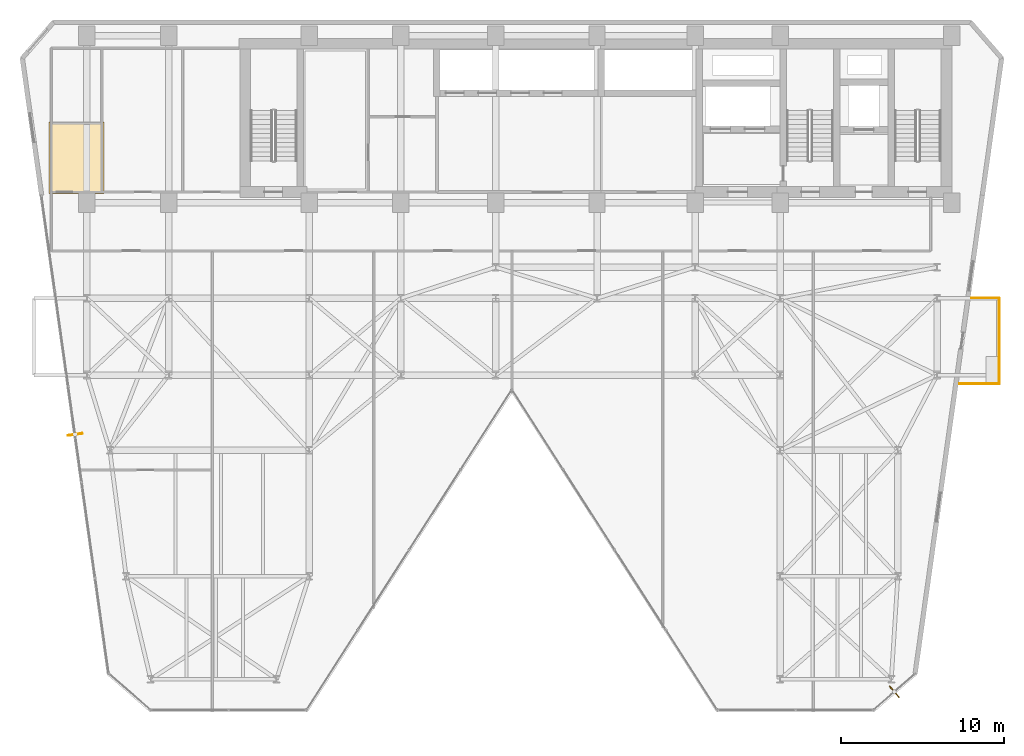
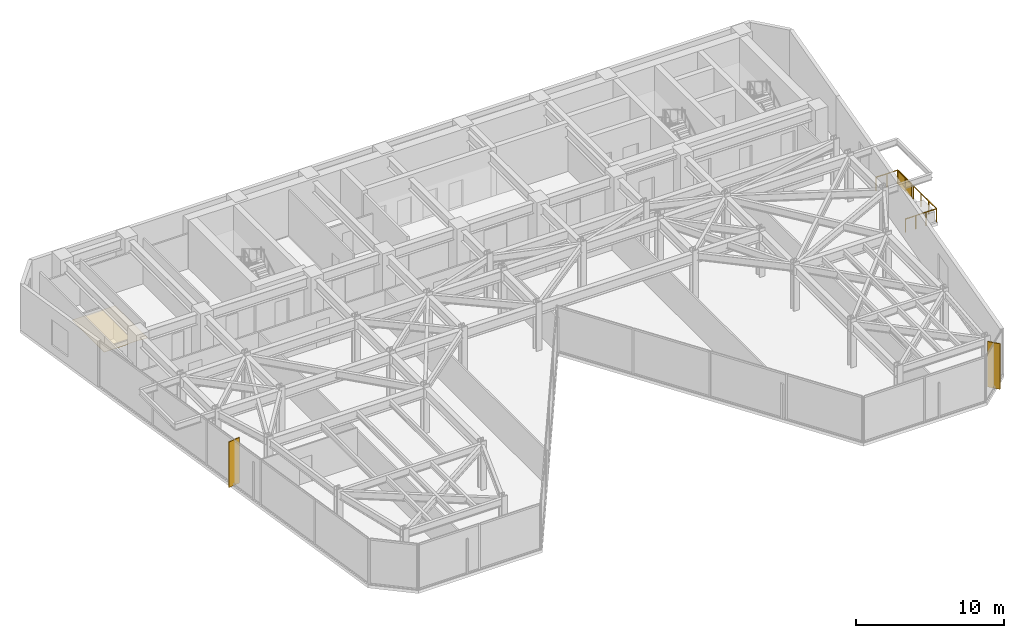
# One storey, part 24 of 26: 3 railings, 3 shading devices, 1 covering.
"""IFC4 building model written with IfcOpenShell, lengths in metres."""

from ifc_helpers import new_model, si_unit, direction, frame, origin, origin_2d, place, context, subcontext, project, spatial, polyline, rectangle, circle, outline, extrude, material, layer, layer_set, type_object, element, save


model = new_model("IFC4")

# Units and contexts
model_context = context("Model", 3, precision=1e-05, world=origin(), true_north=direction((0.0, 1.0)))
body_context = subcontext(model_context, "Body", "Model", "MODEL_VIEW")
ifc_project = project(units=[si_unit("LENGTHUNIT", "METRE"), si_unit("AREAUNIT", "SQUARE_METRE"), si_unit("VOLUMEUNIT", "CUBIC_METRE"), si_unit("PLANEANGLEUNIT", "RADIAN"), si_unit("MASSUNIT", "GRAM", prefix="KILO")], contexts=[model_context])

# Site, building, storey
site_placement = place(None, origin())
site = spatial("IfcSite", under=ifc_project, at=site_placement, CompositionType="ELEMENT")
building_placement = place(site_placement, origin())
building = spatial("IfcBuilding", under=site, at=building_placement, Name="Kravanh Interchange Tower", CompositionType="ELEMENT")
storey_placement = place(building_placement, frame((0.0, 0.0, 100.0)))
storey = spatial("IfcBuildingStorey", under=building, at=storey_placement, Name="L23", CompositionType="ELEMENT", Elevation=100.0)

# Covering
ifc_material_1 = material(Name="Acoustic Mineral Fibre Tile on Aluminium Grid", Category="aluminium")
ifc_layer_1 = layer(ifc_material_1, 0.02490234375)
ifc_layer_set_1 = layer_set([ifc_layer_1], Name="Perforated Acoustic Mineral Ceiling 25mm")
covering_type = type_object("IfcCoveringType", Name="Perforated Acoustic Mineral Ceiling 25mm", PredefinedType="CEILING", material=ifc_layer_set_1)
covering_placement = place(storey_placement, frame((0.0, 0.0, 2.550048828125)))
element("IfcCovering", 1, at=covering_placement, inside=storey, type_object=covering_type, Name="L23 Accessible WC Suspended Ceiling", PredefinedType="CEILING", context=body_context, shape_type="SweptSolid", body=[
    extrude(outline(polyline([(14.659912109375, 42.280029296875), (14.659912109375, 37.909912109375), (14.10009765625, 37.909912109375), (14.10009765625, 37.949951171875), (13.10009765625, 37.949951171875), (13.10009765625, 37.909912109375), (11.280029296875, 37.909912109375), (11.280029296875, 42.280029296875), (14.659912109375, 42.280029296875)])), origin(), (0.0, 0.0, 1.0), 0.02490234375),
])

# Shading device
ifc_material_2 = material(Name="Perforated Anodised Bronze Aluminium", Category="aluminium")
ifc_layer_2 = layer(ifc_material_2, 0.0400390625)
ifc_layer_set_2 = layer_set([ifc_layer_2], Name="Perforated Bronze Balcony Privacy Screen 1150mm")
shading_device_type_1 = type_object("IfcShadingDeviceType", Name="Perforated Bronze Balcony Privacy Screen 1150mm", PredefinedType="USERDEFINED", material=ifc_layer_set_2)
shading_device_placement = place(storey_placement, frame((69.39306640625, 30.5400390625, 0.0), z_axis=(0.0, 0.0, 1.0), x_axis=(1.0, 0.0, 0.0)))
element("IfcShadingDevice", 2, at=shading_device_placement, inside=storey, type_object=shading_device_type_1, Name="L23 E Perforated Bronze BALCONY SCREEN", ObjectType="SCREEN", PredefinedType="USERDEFINED", context=body_context, shape_type="SweptSolid", body=[
    extrude(rectangle(XDim=0.0400390625, YDim=1.800048828125, at=origin_2d()), origin(), (0.0, 0.0, 1.0), 1.14990234375),
])

# Railings
ifc_material_3 = material(Name="Stainless Steel 316", Category="steel")
ifc_layer_3 = layer(ifc_material_3, 0.06005859375)
ifc_layer_set_3 = layer_set([ifc_layer_3], Name="Perimeter Balcony and Terrace Guardrail Stainless 316 1120mm")
railing_type = type_object("IfcRailingType", Name="Perimeter Balcony and Terrace Guardrail Stainless 316 1120mm", PredefinedType="GUARDRAIL", material=ifc_layer_set_3)
railing_1_placement = place(storey_placement, frame((69.39306640625, 31.510009765625, 0.0)))
element("IfcRailing", 3, at=railing_1_placement, inside=storey, type_object=railing_type, Name="L23 E Balcony Guardrail 1", PredefinedType="GUARDRAIL", context=body_context, shape_type="SweptSolid", body=[
    extrude(circle(Radius=0.02392578125, at=origin_2d()), frame((0.0, 0.0, 1.09619140625), z_axis=(0.0, -1.0, 0.0), x_axis=(1.0, 0.0, 0.0)), (0.0, 0.0, 1.0), 5.239990234375),
    extrude(circle(Radius=0.02099609375, at=origin_2d()), origin(), (0.0, 0.0, 1.0), 1.072021484375),
    extrude(circle(Radius=0.02099609375, at=origin_2d()), frame((0.0, -1.048095703125, 0.0)), (0.0, 0.0, 1.0), 1.072021484375),
    extrude(circle(Radius=0.02099609375, at=origin_2d()), frame((0.0, -2.095947265625, 0.0)), (0.0, 0.0, 1.0), 1.072021484375),
    extrude(circle(Radius=0.02099609375, at=origin_2d()), frame((0.0, -3.14404296875, 0.0)), (0.0, 0.0, 1.0), 1.072021484375),
    extrude(circle(Radius=0.02099609375, at=origin_2d()), frame((0.0, -4.19189453125, 0.0)), (0.0, 0.0, 1.0), 1.072021484375),
    extrude(circle(Radius=0.02099609375, at=origin_2d()), frame((0.0, -5.239990234375, 0.0)), (0.0, 0.0, 1.0), 1.072021484375),
])
railing_2_placement = place(storey_placement, frame((69.39306640625, 26.27001953125, 0.0)))
element("IfcRailing", 4, at=railing_2_placement, inside=storey, type_object=railing_type, Name="L23 E Balcony Guardrail 2", PredefinedType="GUARDRAIL", context=body_context, shape_type="SweptSolid", body=[
    extrude(circle(Radius=0.02392578125, at=origin_2d()), frame((0.0, 0.0, 1.09619140625), z_axis=(-1.0, 0.0, 0.0), x_axis=(0.0, -1.0, 0.0)), (0.0, 0.0, 1.0), 2.42138671875),
    extrude(circle(Radius=0.02099609375, at=origin_2d()), origin(), (0.0, 0.0, 1.0), 1.072021484375),
    extrude(circle(Radius=0.02099609375, at=origin_2d()), frame((-0.80712890625, 0.0, 0.0)), (0.0, 0.0, 1.0), 1.072021484375),
    extrude(circle(Radius=0.02099609375, at=origin_2d()), frame((-1.6142578125, 0.0, 0.0)), (0.0, 0.0, 1.0), 1.072021484375),
    extrude(circle(Radius=0.02099609375, at=origin_2d()), frame((-2.42138671875, 0.0, 0.0)), (0.0, 0.0, 1.0), 1.072021484375),
])
railing_3_placement = place(storey_placement, frame((67.7080078125, 31.510009765625, 0.0)))
element("IfcRailing", 5, at=railing_3_placement, inside=storey, type_object=railing_type, Name="L23 E Balcony Guardrail 3", PredefinedType="GUARDRAIL", context=body_context, shape_type="SweptSolid", body=[
    extrude(circle(Radius=0.02392578125, at=origin_2d()), frame((0.0, 0.0, 1.09619140625), z_axis=(1.0, 0.0, 0.0), x_axis=(0.0, 1.0, 0.0)), (0.0, 0.0, 1.0), 1.68505859375),
    extrude(circle(Radius=0.02099609375, at=origin_2d()), origin(), (0.0, 0.0, 1.0), 1.072021484375),
    extrude(circle(Radius=0.02099609375, at=origin_2d()), frame((0.842529296875, 0.0, 0.0)), (0.0, 0.0, 1.0), 1.072021484375),
    extrude(circle(Radius=0.02099609375, at=origin_2d()), frame((1.68505859375, 0.0, 0.0)), (0.0, 0.0, 1.0), 1.072021484375),
])

# Shading devices
ifc_material_4 = material(Name="Anodised Champagne Bronze Aluminium", Category="aluminium")
ifc_layer_4 = layer(ifc_material_4, 0.06005859375)
ifc_layer_set_4 = layer_set([ifc_layer_4], Name="Vertical Bronze Solar Fin 900mm")
shading_device_type_2 = type_object("IfcShadingDeviceType", Name="Vertical Bronze Solar Fin 900mm", PredefinedType="USERDEFINED", material=ifc_layer_set_4)
for number, where, z_axis, x_axis, name in (
    (6, (12.881103515625, 23.16943359375, 0.0), (0.0, 0.0, 1.0), (-0.990268017027, -0.139173468924, 0.0), "L23 BRONZE SOLAR FIN 1"),
    (7, (62.986328125, 7.429443359375, 0.0), (0.0, 0.0, 1.0), (0.656056045951, -0.754712173329, 0.0), "L23 BRONZE SOLAR FIN 2"),
):
    element("IfcShadingDevice", number, at=place(storey_placement, frame(where, z_axis=z_axis, x_axis=x_axis)), inside=storey, type_object=shading_device_type_2, Name=name, ObjectType="FIN", PredefinedType="USERDEFINED", context=body_context, shape_type="SweptSolid", body=[
        extrude(rectangle(XDim=0.89990234375, YDim=0.06005859375, at=origin_2d()), origin(), (0.0, 0.0, 1.0), 3.75),
    ])

save(model, "model.ifc")
